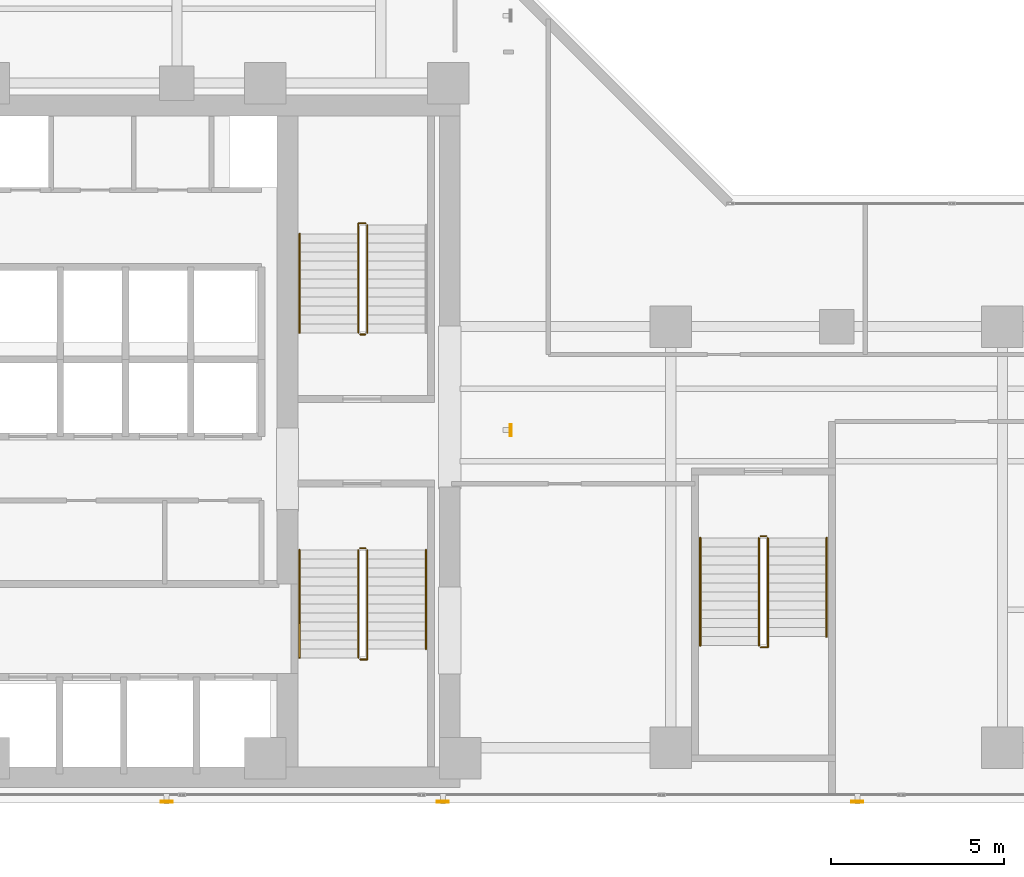
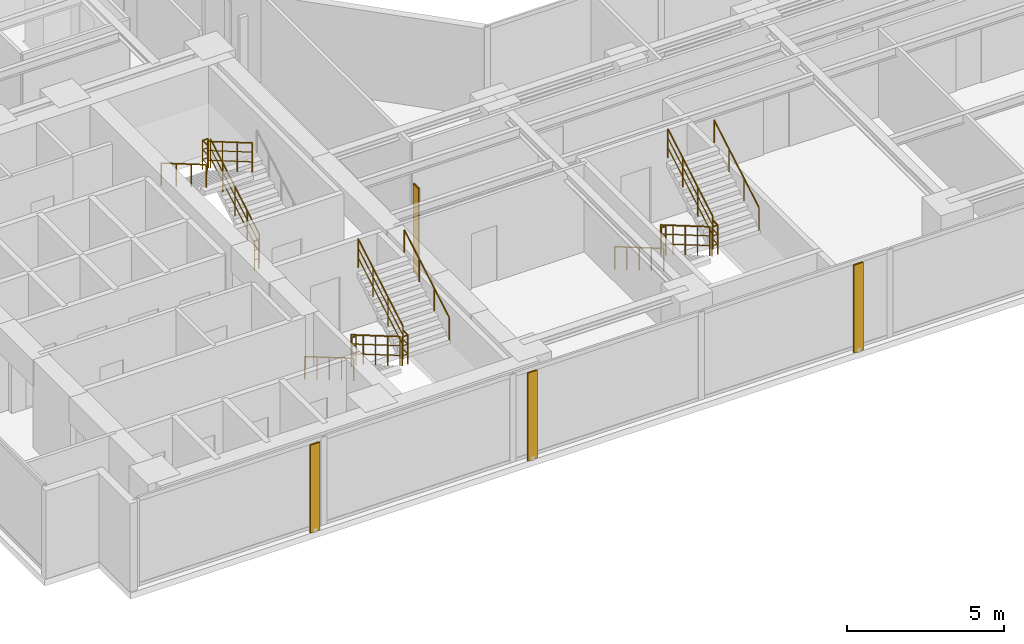
# One storey, part 23 of 26: 17 railings, 4 shading devices.
"""IFC4 building model written with IfcOpenShell, lengths in metres."""

from ifc_helpers import new_model, si_unit, direction, frame, origin, origin_2d, place, context, subcontext, project, spatial, hollow_rectangle, circle, extrude, material, material_profile, profile_set, type_object, element, save


model = new_model("IFC4")

# Units and contexts
model_context = context("Model", 3, precision=1e-05, world=origin(), true_north=direction((0.0, 1.0)))
body_context = subcontext(model_context, "Body", "Model", "MODEL_VIEW")
ifc_project = project(units=[si_unit("LENGTHUNIT", "METRE"), si_unit("AREAUNIT", "SQUARE_METRE"), si_unit("VOLUMEUNIT", "CUBIC_METRE"), si_unit("PLANEANGLEUNIT", "RADIAN"), si_unit("MASSUNIT", "GRAM", prefix="KILO")], contexts=[model_context])

# Site, building, storey
site_placement = place(None, origin())
site = spatial("IfcSite", under=ifc_project, at=site_placement, CompositionType="ELEMENT")
building_placement = place(site_placement, origin())
building = spatial("IfcBuilding", under=site, at=building_placement, Name="Kolvaren Waterfront Exchange", CompositionType="ELEMENT")
storey_placement = place(building_placement, frame((0.0, 0.0, 195.60009765625)))
storey = spatial("IfcBuildingStorey", under=building, at=storey_placement, Name="L50", CompositionType="ELEMENT", Elevation=195.60009765625)

# Shading devices
ifc_material_1 = material(Name="Anodised bronze aluminium 6063-T6", Category="aluminium")
ifc_material_profile = material_profile(ifc_material_1, hollow_rectangle(XDim=0.06005859375, YDim=0.35009765625, WallThickness=0.0048828125, at=origin_2d()), Name="BRZ-FIN-350x60x5")
ifc_profile_set = profile_set([ifc_material_profile], Name="Anodised bronze aluminium 6063-T6")
shading_device_type = type_object("IfcShadingDeviceType", Name="ARC-FIN-350", PredefinedType="USERDEFINED", material=ifc_profile_set)
for number, where, z_axis, x_axis, name in (
    (1, (12.60009765625, 3.639892578125, 0.0), (0.0, 0.0, 1.0), (0.0, -1.0, 0.0), "L50 anodised bronze solar shading fin FIN-L50-S1"),
    (2, (20.60009765625, 3.639892578125, 0.0), (0.0, 0.0, 1.0), (0.0, -1.0, 0.0), "L50 anodised bronze solar shading fin FIN-L50-S2"),
    (3, (32.60009765625, 3.639892578125, 0.0), (0.0, 0.0, 1.0), (0.0, -1.0, 0.0), "L50 anodised bronze solar shading fin FIN-L50-S3"),
    (4, (22.56005859375, 14.39990234375, 0.0), (0.0, 0.0, 1.0), (1.0, 0.0, 0.0), "L50 anodised bronze solar shading fin FIN-L50-E1"),
):
    element("IfcShadingDevice", number, at=place(storey_placement, frame(where, z_axis=z_axis, x_axis=x_axis)), inside=storey, type_object=shading_device_type, Name=name, ObjectType="SOLAR FIN", PredefinedType="USERDEFINED", context=body_context, shape_type="SweptSolid", body=[
        extrude(hollow_rectangle(XDim=0.06005859375, YDim=0.35009765625, WallThickness=0.0048828125, at=origin_2d()), origin(), (0.0, 0.0, 1.0), 3.419921875),
    ])

# Railings
ifc_material_2 = material(Name="Stainless steel 316", Category="steel")
railing_type_1 = type_object("IfcRailingType", Name="ARC-GUARD-STAIR", PredefinedType="GUARDRAIL", material=ifc_material_2)
railing_1_placement = place(storey_placement, frame((18.14990234375, 10.929931640625, 0.15185546875)))
element("IfcRailing", 5, at=railing_1_placement, inside=storey, type_object=railing_type_1, Name="L50 ST1 stair guard 1", PredefinedType="GUARDRAIL", context=body_context, shape_type="SweptSolid", body=[
    extrude(circle(Radius=0.02392578125, at=origin_2d()), frame((0.0, 0.0, 1.1259765625), z_axis=(0.0, -0.86329090724, 0.504706656858), x_axis=(1.0, 0.0, 0.0)), (0.0, 0.0, 1.0), 3.614013671875),
    extrude(circle(Radius=0.01611328125, at=origin_2d()), frame((0.0, 0.0, 0.390869140625), z_axis=(0.0, -0.86329090724, 0.504706656858), x_axis=(1.0, 0.0, 0.0)), (0.0, 0.0, 1.0), 3.614013671875),
    extrude(circle(Radius=0.01611328125, at=origin_2d()), frame((0.0, 0.0, 0.7705078125), z_axis=(0.0, -0.86329090724, 0.504706656858), x_axis=(1.0, 0.0, 0.0)), (0.0, 0.0, 1.0), 3.614013671875),
    extrude(circle(Radius=0.02099609375, at=origin_2d()), origin(), (0.0, 0.0, 1.0), 1.101806640625),
    extrude(circle(Radius=0.02099609375, at=origin_2d()), frame((0.0, -0.780029296875, 0.4560546875)), (0.0, 0.0, 1.0), 1.101806640625),
    extrude(circle(Radius=0.02099609375, at=origin_2d()), frame((0.0, -1.56005859375, 0.912109375)), (0.0, 0.0, 1.0), 1.101806640625),
    extrude(circle(Radius=0.02099609375, at=origin_2d()), frame((0.0, -2.33984375, 1.367919921875)), (0.0, 0.0, 1.0), 1.101806640625),
    extrude(circle(Radius=0.02099609375, at=origin_2d()), frame((0.0, -3.119873046875, 1.823974609375)), (0.0, 0.0, 1.0), 1.101806640625),
])
railing_2_placement = place(storey_placement, frame((18.199951171875, 7.760009765625, 1.975830078125)))
element("IfcRailing", 6, at=railing_2_placement, inside=storey, type_object=railing_type_1, Name="L50 ST1 stair guard 2", PredefinedType="GUARDRAIL", context=body_context, shape_type="SweptSolid", body=[
    extrude(circle(Radius=0.02392578125, at=origin_2d()), frame((0.0, 0.0, 1.1259765625), z_axis=(1.0, 0.0, 0.0), x_axis=(0.0, 1.0, 0.0)), (0.0, 0.0, 1.0), 0.2099609375),
    extrude(circle(Radius=0.01611328125, at=origin_2d()), frame((0.0, 0.0, 0.390869140625), z_axis=(1.0, 0.0, 0.0), x_axis=(0.0, 1.0, 0.0)), (0.0, 0.0, 1.0), 0.2099609375),
    extrude(circle(Radius=0.01611328125, at=origin_2d()), frame((0.0, 0.0, 0.7705078125), z_axis=(1.0, 0.0, 0.0), x_axis=(0.0, 1.0, 0.0)), (0.0, 0.0, 1.0), 0.2099609375),
    extrude(circle(Radius=0.02392578125, at=origin_2d()), frame((0.2099609375, 0.0, 1.1259765625), z_axis=(0.0, 1.0, 0.0), x_axis=(-1.0, 0.0, 0.0)), (0.0, 0.0, 1.0), 0.31005859375),
    extrude(circle(Radius=0.01611328125, at=origin_2d()), frame((0.2099609375, 0.0, 0.390869140625), z_axis=(0.0, 1.0, 0.0), x_axis=(-1.0, 0.0, 0.0)), (0.0, 0.0, 1.0), 0.31005859375),
    extrude(circle(Radius=0.01611328125, at=origin_2d()), frame((0.2099609375, 0.0, 0.7705078125), z_axis=(0.0, 1.0, 0.0), x_axis=(-1.0, 0.0, 0.0)), (0.0, 0.0, 1.0), 0.31005859375),
    extrude(circle(Radius=0.02099609375, at=origin_2d()), origin(), (0.0, 0.0, 1.0), 1.101806640625),
    extrude(circle(Radius=0.02099609375, at=origin_2d()), frame((0.2099609375, 0.0, 0.0)), (0.0, 0.0, 1.0), 1.101806640625),
    extrude(circle(Radius=0.02099609375, at=origin_2d()), frame((0.2099609375, 0.31005859375, 0.0)), (0.0, 0.0, 1.0), 1.101806640625),
])
railing_3_placement = place(storey_placement, frame((18.409912109375, 8.070068359375, 2.1279296875)))
element("IfcRailing", 7, at=railing_3_placement, inside=storey, type_object=railing_type_1, Name="L50 ST1 stair guard 3", PredefinedType="GUARDRAIL", context=body_context, shape_type="SweptSolid", body=[
    extrude(circle(Radius=0.02392578125, at=origin_2d()), frame((0.0, 0.0, 1.1259765625), z_axis=(0.0, 0.86330272217, 0.504686447108), x_axis=(-1.0, 0.0, 0.0)), (0.0, 0.0, 1.0), 3.312744140625),
    extrude(circle(Radius=0.01611328125, at=origin_2d()), frame((0.0, 0.0, 0.390869140625), z_axis=(0.0, 0.86330272217, 0.504686447108), x_axis=(-1.0, 0.0, 0.0)), (0.0, 0.0, 1.0), 3.312744140625),
    extrude(circle(Radius=0.01611328125, at=origin_2d()), frame((0.0, 0.0, 0.7705078125), z_axis=(0.0, 0.86330272217, 0.504686447108), x_axis=(-1.0, 0.0, 0.0)), (0.0, 0.0, 1.0), 3.312744140625),
    extrude(circle(Radius=0.02099609375, at=origin_2d()), origin(), (0.0, 0.0, 1.0), 1.101806640625),
    extrude(circle(Radius=0.02099609375, at=origin_2d()), frame((0.0, 0.953369140625, 0.557373046875)), (0.0, 0.0, 1.0), 1.101806640625),
    extrude(circle(Radius=0.02099609375, at=origin_2d()), frame((0.0, 1.906494140625, 1.114501953125)), (0.0, 0.0, 1.0), 1.101806640625),
    extrude(circle(Radius=0.02099609375, at=origin_2d()), frame((0.0, 2.85986328125, 1.671875)), (0.0, 0.0, 1.0), 1.101806640625),
])
railing_4_placement = place(storey_placement, frame((18.199951171875, 10.97998046875, 0.0)))
element("IfcRailing", 8, at=railing_4_placement, inside=storey, type_object=railing_type_1, Name="L50 ST1 stair guard 4", PredefinedType="GUARDRAIL", context=body_context, shape_type="SweptSolid", body=[
    extrude(circle(Radius=0.02392578125, at=origin_2d()), frame((0.0, 0.0, 1.1259765625), z_axis=(1.0, 0.0, 0.0), x_axis=(0.0, 1.0, 0.0)), (0.0, 0.0, 1.0), 0.16015625),
    extrude(circle(Radius=0.01611328125, at=origin_2d()), frame((0.0, 0.0, 0.390869140625), z_axis=(1.0, 0.0, 0.0), x_axis=(0.0, 1.0, 0.0)), (0.0, 0.0, 1.0), 0.16015625),
    extrude(circle(Radius=0.01611328125, at=origin_2d()), frame((0.0, 0.0, 0.7705078125), z_axis=(1.0, 0.0, 0.0), x_axis=(0.0, 1.0, 0.0)), (0.0, 0.0, 1.0), 0.16015625),
    extrude(circle(Radius=0.02099609375, at=origin_2d()), origin(), (0.0, 0.0, 1.0), 1.101806640625),
    extrude(circle(Radius=0.02099609375, at=origin_2d()), frame((0.16015625, 0.0, 0.0)), (0.0, 0.0, 1.0), 1.101806640625),
])
railing_5_placement = place(storey_placement, frame((18.409912109375, 17.219970703125, 0.15185546875)))
element("IfcRailing", 9, at=railing_5_placement, inside=storey, type_object=railing_type_1, Name="L50 ST2 stair guard 1", PredefinedType="GUARDRAIL", context=body_context, shape_type="SweptSolid", body=[
    extrude(circle(Radius=0.02392578125, at=origin_2d()), frame((0.0, 0.0, 1.1259765625), z_axis=(0.0, 0.86330811405, 0.504677223793), x_axis=(-1.0, 0.0, 0.0)), (0.0, 0.0, 1.0), 3.6142578125),
    extrude(circle(Radius=0.01611328125, at=origin_2d()), frame((0.0, 0.0, 0.390869140625), z_axis=(0.0, 0.86330811405, 0.504677223793), x_axis=(-1.0, 0.0, 0.0)), (0.0, 0.0, 1.0), 3.6142578125),
    extrude(circle(Radius=0.01611328125, at=origin_2d()), frame((0.0, 0.0, 0.7705078125), z_axis=(0.0, 0.86330811405, 0.504677223793), x_axis=(-1.0, 0.0, 0.0)), (0.0, 0.0, 1.0), 3.6142578125),
    extrude(circle(Radius=0.02099609375, at=origin_2d()), origin(), (0.0, 0.0, 1.0), 1.101806640625),
    extrude(circle(Radius=0.02099609375, at=origin_2d()), frame((0.0, 0.780029296875, 0.4560546875)), (0.0, 0.0, 1.0), 1.101806640625),
    extrude(circle(Radius=0.02099609375, at=origin_2d()), frame((0.0, 1.56005859375, 0.912109375)), (0.0, 0.0, 1.0), 1.101806640625),
    extrude(circle(Radius=0.02099609375, at=origin_2d()), frame((0.0, 2.340087890625, 1.367919921875)), (0.0, 0.0, 1.0), 1.101806640625),
    extrude(circle(Radius=0.02099609375, at=origin_2d()), frame((0.0, 3.1201171875, 1.823974609375)), (0.0, 0.0, 1.0), 1.101806640625),
])
railing_6_placement = place(storey_placement, frame((18.360107421875, 20.389892578125, 1.975830078125)))
element("IfcRailing", 10, at=railing_6_placement, inside=storey, type_object=railing_type_1, Name="L50 ST2 stair guard 2", PredefinedType="GUARDRAIL", context=body_context, shape_type="SweptSolid", body=[
    extrude(circle(Radius=0.02392578125, at=origin_2d()), frame((0.0, 0.0, 1.1259765625), z_axis=(-1.0, 0.0, 0.0), x_axis=(0.0, -1.0, 0.0)), (0.0, 0.0, 1.0), 0.210205078125),
    extrude(circle(Radius=0.01611328125, at=origin_2d()), frame((0.0, 0.0, 0.390869140625), z_axis=(-1.0, 0.0, 0.0), x_axis=(0.0, -1.0, 0.0)), (0.0, 0.0, 1.0), 0.210205078125),
    extrude(circle(Radius=0.01611328125, at=origin_2d()), frame((0.0, 0.0, 0.7705078125), z_axis=(-1.0, 0.0, 0.0), x_axis=(0.0, -1.0, 0.0)), (0.0, 0.0, 1.0), 0.210205078125),
    extrude(circle(Radius=0.02392578125, at=origin_2d()), frame((-0.210205078125, 0.0, 1.1259765625), z_axis=(0.0, -1.0, 0.0), x_axis=(1.0, 0.0, 0.0)), (0.0, 0.0, 1.0), 0.309814453125),
    extrude(circle(Radius=0.01611328125, at=origin_2d()), frame((-0.210205078125, 0.0, 0.390869140625), z_axis=(0.0, -1.0, 0.0), x_axis=(1.0, 0.0, 0.0)), (0.0, 0.0, 1.0), 0.309814453125),
    extrude(circle(Radius=0.01611328125, at=origin_2d()), frame((-0.210205078125, 0.0, 0.7705078125), z_axis=(0.0, -1.0, 0.0), x_axis=(1.0, 0.0, 0.0)), (0.0, 0.0, 1.0), 0.309814453125),
    extrude(circle(Radius=0.02099609375, at=origin_2d()), origin(), (0.0, 0.0, 1.0), 1.101806640625),
    extrude(circle(Radius=0.02099609375, at=origin_2d()), frame((-0.210205078125, 0.0, 0.0)), (0.0, 0.0, 1.0), 1.101806640625),
    extrude(circle(Radius=0.02099609375, at=origin_2d()), frame((-0.210205078125, -0.309814453125, 0.0)), (0.0, 0.0, 1.0), 1.101806640625),
])
railing_7_placement = place(storey_placement, frame((18.14990234375, 20.080078125, 2.1279296875)))
element("IfcRailing", 11, at=railing_7_placement, inside=storey, type_object=railing_type_1, Name="L50 ST2 stair guard 3", PredefinedType="GUARDRAIL", context=body_context, shape_type="SweptSolid", body=[
    extrude(circle(Radius=0.02392578125, at=origin_2d()), frame((0.0, 0.0, 1.1259765625), z_axis=(0.0, -0.863321491973, 0.504654338629), x_axis=(1.0, 0.0, 0.0)), (0.0, 0.0, 1.0), 3.31298828125),
    extrude(circle(Radius=0.01611328125, at=origin_2d()), frame((0.0, 0.0, 0.390869140625), z_axis=(0.0, -0.863321491973, 0.504654338629), x_axis=(1.0, 0.0, 0.0)), (0.0, 0.0, 1.0), 3.31298828125),
    extrude(circle(Radius=0.01611328125, at=origin_2d()), frame((0.0, 0.0, 0.7705078125), z_axis=(0.0, -0.863321491973, 0.504654338629), x_axis=(1.0, 0.0, 0.0)), (0.0, 0.0, 1.0), 3.31298828125),
    extrude(circle(Radius=0.02099609375, at=origin_2d()), origin(), (0.0, 0.0, 1.0), 1.101806640625),
    extrude(circle(Radius=0.02099609375, at=origin_2d()), frame((0.0, -0.953369140625, 0.557373046875)), (0.0, 0.0, 1.0), 1.101806640625),
    extrude(circle(Radius=0.02099609375, at=origin_2d()), frame((0.0, -1.90673828125, 1.114501953125)), (0.0, 0.0, 1.0), 1.101806640625),
    extrude(circle(Radius=0.02099609375, at=origin_2d()), frame((0.0, -2.860107421875, 1.671875)), (0.0, 0.0, 1.0), 1.101806640625),
])
railing_8_placement = place(storey_placement, frame((18.360107421875, 17.169921875, 0.0)))
element("IfcRailing", 12, at=railing_8_placement, inside=storey, type_object=railing_type_1, Name="L50 ST2 stair guard 4", PredefinedType="GUARDRAIL", context=body_context, shape_type="SweptSolid", body=[
    extrude(circle(Radius=0.02392578125, at=origin_2d()), frame((0.0, 0.0, 1.1259765625), z_axis=(-1.0, 0.0, 0.0), x_axis=(0.0, -1.0, 0.0)), (0.0, 0.0, 1.0), 0.16015625),
    extrude(circle(Radius=0.01611328125, at=origin_2d()), frame((0.0, 0.0, 0.390869140625), z_axis=(-1.0, 0.0, 0.0), x_axis=(0.0, -1.0, 0.0)), (0.0, 0.0, 1.0), 0.16015625),
    extrude(circle(Radius=0.01611328125, at=origin_2d()), frame((0.0, 0.0, 0.7705078125), z_axis=(-1.0, 0.0, 0.0), x_axis=(0.0, -1.0, 0.0)), (0.0, 0.0, 1.0), 0.16015625),
    extrude(circle(Radius=0.02099609375, at=origin_2d()), origin(), (0.0, 0.0, 1.0), 1.101806640625),
    extrude(circle(Radius=0.02099609375, at=origin_2d()), frame((-0.16015625, 0.0, 0.0)), (0.0, 0.0, 1.0), 1.101806640625),
])
railing_9_placement = place(storey_placement, frame((29.75, 11.280029296875, 0.15185546875)))
element("IfcRailing", 13, at=railing_9_placement, inside=storey, type_object=railing_type_1, Name="L50 ST3 stair guard 1", PredefinedType="GUARDRAIL", context=body_context, shape_type="SweptSolid", body=[
    extrude(circle(Radius=0.02392578125, at=origin_2d()), frame((0.0, 0.0, 1.1259765625), z_axis=(0.0, -0.86330811405, 0.504677223793), x_axis=(1.0, 0.0, 0.0)), (0.0, 0.0, 1.0), 3.6142578125),
    extrude(circle(Radius=0.01611328125, at=origin_2d()), frame((0.0, 0.0, 0.390869140625), z_axis=(0.0, -0.86330811405, 0.504677223793), x_axis=(1.0, 0.0, 0.0)), (0.0, 0.0, 1.0), 3.6142578125),
    extrude(circle(Radius=0.01611328125, at=origin_2d()), frame((0.0, 0.0, 0.7705078125), z_axis=(0.0, -0.86330811405, 0.504677223793), x_axis=(1.0, 0.0, 0.0)), (0.0, 0.0, 1.0), 3.6142578125),
    extrude(circle(Radius=0.02099609375, at=origin_2d()), origin(), (0.0, 0.0, 1.0), 1.101806640625),
    extrude(circle(Radius=0.02099609375, at=origin_2d()), frame((0.0, -0.780029296875, 0.4560546875)), (0.0, 0.0, 1.0), 1.101806640625),
    extrude(circle(Radius=0.02099609375, at=origin_2d()), frame((0.0, -1.56005859375, 0.912109375)), (0.0, 0.0, 1.0), 1.101806640625),
    extrude(circle(Radius=0.02099609375, at=origin_2d()), frame((0.0, -2.340087890625, 1.367919921875)), (0.0, 0.0, 1.0), 1.101806640625),
    extrude(circle(Radius=0.02099609375, at=origin_2d()), frame((0.0, -3.1201171875, 1.823974609375)), (0.0, 0.0, 1.0), 1.101806640625),
])
railing_10_placement = place(storey_placement, frame((29.800048828125, 8.110107421875, 1.975830078125)))
element("IfcRailing", 14, at=railing_10_placement, inside=storey, type_object=railing_type_1, Name="L50 ST3 stair guard 2", PredefinedType="GUARDRAIL", context=body_context, shape_type="SweptSolid", body=[
    extrude(circle(Radius=0.02392578125, at=origin_2d()), frame((0.0, 0.0, 1.1259765625), z_axis=(1.0, 0.0, 0.0), x_axis=(0.0, 1.0, 0.0)), (0.0, 0.0, 1.0), 0.2099609375),
    extrude(circle(Radius=0.01611328125, at=origin_2d()), frame((0.0, 0.0, 0.390869140625), z_axis=(1.0, 0.0, 0.0), x_axis=(0.0, 1.0, 0.0)), (0.0, 0.0, 1.0), 0.2099609375),
    extrude(circle(Radius=0.01611328125, at=origin_2d()), frame((0.0, 0.0, 0.7705078125), z_axis=(1.0, 0.0, 0.0), x_axis=(0.0, 1.0, 0.0)), (0.0, 0.0, 1.0), 0.2099609375),
    extrude(circle(Radius=0.02392578125, at=origin_2d()), frame((0.2099609375, 0.0, 1.1259765625), z_axis=(0.0, 1.0, 0.0), x_axis=(-1.0, 0.0, 0.0)), (0.0, 0.0, 1.0), 0.309814453125),
    extrude(circle(Radius=0.01611328125, at=origin_2d()), frame((0.2099609375, 0.0, 0.390869140625), z_axis=(0.0, 1.0, 0.0), x_axis=(-1.0, 0.0, 0.0)), (0.0, 0.0, 1.0), 0.309814453125),
    extrude(circle(Radius=0.01611328125, at=origin_2d()), frame((0.2099609375, 0.0, 0.7705078125), z_axis=(0.0, 1.0, 0.0), x_axis=(-1.0, 0.0, 0.0)), (0.0, 0.0, 1.0), 0.309814453125),
    extrude(circle(Radius=0.02099609375, at=origin_2d()), origin(), (0.0, 0.0, 1.0), 1.101806640625),
    extrude(circle(Radius=0.02099609375, at=origin_2d()), frame((0.2099609375, 0.0, 0.0)), (0.0, 0.0, 1.0), 1.101806640625),
    extrude(circle(Radius=0.02099609375, at=origin_2d()), frame((0.2099609375, 0.309814453125, 0.0)), (0.0, 0.0, 1.0), 1.101806640625),
])
railing_11_placement = place(storey_placement, frame((30.010009765625, 8.419921875, 2.1279296875)))
element("IfcRailing", 15, at=railing_11_placement, inside=storey, type_object=railing_type_1, Name="L50 ST3 stair guard 3", PredefinedType="GUARDRAIL", context=body_context, shape_type="SweptSolid", body=[
    extrude(circle(Radius=0.02392578125, at=origin_2d()), frame((0.0, 0.0, 1.1259765625), z_axis=(0.0, 0.863321491973, 0.504654338629), x_axis=(-1.0, 0.0, 0.0)), (0.0, 0.0, 1.0), 3.31298828125),
    extrude(circle(Radius=0.01611328125, at=origin_2d()), frame((0.0, 0.0, 0.390869140625), z_axis=(0.0, 0.863321491973, 0.504654338629), x_axis=(-1.0, 0.0, 0.0)), (0.0, 0.0, 1.0), 3.31298828125),
    extrude(circle(Radius=0.01611328125, at=origin_2d()), frame((0.0, 0.0, 0.7705078125), z_axis=(0.0, 0.863321491973, 0.504654338629), x_axis=(-1.0, 0.0, 0.0)), (0.0, 0.0, 1.0), 3.31298828125),
    extrude(circle(Radius=0.02099609375, at=origin_2d()), origin(), (0.0, 0.0, 1.0), 1.101806640625),
    extrude(circle(Radius=0.02099609375, at=origin_2d()), frame((0.0, 0.953369140625, 0.557373046875)), (0.0, 0.0, 1.0), 1.101806640625),
    extrude(circle(Radius=0.02099609375, at=origin_2d()), frame((0.0, 1.90673828125, 1.114501953125)), (0.0, 0.0, 1.0), 1.101806640625),
    extrude(circle(Radius=0.02099609375, at=origin_2d()), frame((0.0, 2.860107421875, 1.671875)), (0.0, 0.0, 1.0), 1.101806640625),
])
railing_12_placement = place(storey_placement, frame((29.800048828125, 11.330078125, 0.0)))
element("IfcRailing", 16, at=railing_12_placement, inside=storey, type_object=railing_type_1, Name="L50 ST3 stair guard 4", PredefinedType="GUARDRAIL", context=body_context, shape_type="SweptSolid", body=[
    extrude(circle(Radius=0.02392578125, at=origin_2d()), frame((0.0, 0.0, 1.1259765625), z_axis=(1.0, 0.0, 0.0), x_axis=(0.0, 1.0, 0.0)), (0.0, 0.0, 1.0), 0.159912109375),
    extrude(circle(Radius=0.01611328125, at=origin_2d()), frame((0.0, 0.0, 0.390869140625), z_axis=(1.0, 0.0, 0.0), x_axis=(0.0, 1.0, 0.0)), (0.0, 0.0, 1.0), 0.159912109375),
    extrude(circle(Radius=0.01611328125, at=origin_2d()), frame((0.0, 0.0, 0.7705078125), z_axis=(1.0, 0.0, 0.0), x_axis=(0.0, 1.0, 0.0)), (0.0, 0.0, 1.0), 0.159912109375),
    extrude(circle(Radius=0.02099609375, at=origin_2d()), origin(), (0.0, 0.0, 1.0), 1.101806640625),
    extrude(circle(Radius=0.02099609375, at=origin_2d()), frame((0.159912109375, 0.0, 0.0)), (0.0, 0.0, 1.0), 1.101806640625),
])
railing_type_2 = type_object("IfcRailingType", Name="ARC-HANDRAIL-900", PredefinedType="HANDRAIL", material=ifc_material_2)
railing_13_placement = place(storey_placement, frame((16.449951171875, 10.929931640625, 0.15185546875)))
element("IfcRailing", 17, at=railing_13_placement, inside=storey, type_object=railing_type_2, Name="L50 ST1 stair handrail 1", PredefinedType="HANDRAIL", context=body_context, shape_type="SweptSolid", body=[
    extrude(circle(Radius=0.02392578125, at=origin_2d()), frame((0.0, 0.0, 0.8759765625), z_axis=(0.0, -0.86329090724, 0.504706656858), x_axis=(1.0, 0.0, 0.0)), (0.0, 0.0, 1.0), 3.614013671875),
    extrude(circle(Radius=0.02099609375, at=origin_2d()), origin(), (0.0, 0.0, 1.0), 0.851806640625),
    extrude(circle(Radius=0.02099609375, at=origin_2d()), frame((0.0, -0.780029296875, 0.4560546875)), (0.0, 0.0, 1.0), 0.851806640625),
    extrude(circle(Radius=0.02099609375, at=origin_2d()), frame((0.0, -1.56005859375, 0.912109375)), (0.0, 0.0, 1.0), 0.851806640625),
    extrude(circle(Radius=0.02099609375, at=origin_2d()), frame((0.0, -2.33984375, 1.367919921875)), (0.0, 0.0, 1.0), 0.851806640625),
    extrude(circle(Radius=0.02099609375, at=origin_2d()), frame((0.0, -3.119873046875, 1.823974609375)), (0.0, 0.0, 1.0), 0.851806640625),
])
railing_14_placement = place(storey_placement, frame((20.110107421875, 8.070068359375, 2.1279296875)))
element("IfcRailing", 18, at=railing_14_placement, inside=storey, type_object=railing_type_2, Name="L50 ST1 stair handrail 2", PredefinedType="HANDRAIL", context=body_context, shape_type="SweptSolid", body=[
    extrude(circle(Radius=0.02392578125, at=origin_2d()), frame((0.0, 0.0, 0.8759765625), z_axis=(0.0, 0.86330272217, 0.504686447108), x_axis=(-1.0, 0.0, 0.0)), (0.0, 0.0, 1.0), 3.312744140625),
    extrude(circle(Radius=0.02099609375, at=origin_2d()), origin(), (0.0, 0.0, 1.0), 0.851806640625),
    extrude(circle(Radius=0.02099609375, at=origin_2d()), frame((0.0, 0.953369140625, 0.557373046875)), (0.0, 0.0, 1.0), 0.851806640625),
    extrude(circle(Radius=0.02099609375, at=origin_2d()), frame((0.0, 1.906494140625, 1.114501953125)), (0.0, 0.0, 1.0), 0.851806640625),
    extrude(circle(Radius=0.02099609375, at=origin_2d()), frame((0.0, 2.85986328125, 1.671875)), (0.0, 0.0, 1.0), 0.851806640625),
])
railing_15_placement = place(storey_placement, frame((16.449951171875, 20.080078125, 2.1279296875)))
element("IfcRailing", 19, at=railing_15_placement, inside=storey, type_object=railing_type_2, Name="L50 ST2 stair handrail 2", PredefinedType="HANDRAIL", context=body_context, shape_type="SweptSolid", body=[
    extrude(circle(Radius=0.02392578125, at=origin_2d()), frame((0.0, 0.0, 0.8759765625), z_axis=(0.0, -0.863321491973, 0.504654338629), x_axis=(1.0, 0.0, 0.0)), (0.0, 0.0, 1.0), 3.31298828125),
    extrude(circle(Radius=0.02099609375, at=origin_2d()), origin(), (0.0, 0.0, 1.0), 0.851806640625),
    extrude(circle(Radius=0.02099609375, at=origin_2d()), frame((0.0, -0.953369140625, 0.557373046875)), (0.0, 0.0, 1.0), 0.851806640625),
    extrude(circle(Radius=0.02099609375, at=origin_2d()), frame((0.0, -1.90673828125, 1.114501953125)), (0.0, 0.0, 1.0), 0.851806640625),
    extrude(circle(Radius=0.02099609375, at=origin_2d()), frame((0.0, -2.860107421875, 1.671875)), (0.0, 0.0, 1.0), 0.851806640625),
])
railing_16_placement = place(storey_placement, frame((28.050048828125, 11.280029296875, 0.15185546875)))
element("IfcRailing", 20, at=railing_16_placement, inside=storey, type_object=railing_type_2, Name="L50 ST3 stair handrail 1", PredefinedType="HANDRAIL", context=body_context, shape_type="SweptSolid", body=[
    extrude(circle(Radius=0.02392578125, at=origin_2d()), frame((0.0, 0.0, 0.8759765625), z_axis=(0.0, -0.86330811405, 0.504677223793), x_axis=(1.0, 0.0, 0.0)), (0.0, 0.0, 1.0), 3.6142578125),
    extrude(circle(Radius=0.02099609375, at=origin_2d()), origin(), (0.0, 0.0, 1.0), 0.851806640625),
    extrude(circle(Radius=0.02099609375, at=origin_2d()), frame((0.0, -0.780029296875, 0.4560546875)), (0.0, 0.0, 1.0), 0.851806640625),
    extrude(circle(Radius=0.02099609375, at=origin_2d()), frame((0.0, -1.56005859375, 0.912109375)), (0.0, 0.0, 1.0), 0.851806640625),
    extrude(circle(Radius=0.02099609375, at=origin_2d()), frame((0.0, -2.340087890625, 1.367919921875)), (0.0, 0.0, 1.0), 0.851806640625),
    extrude(circle(Radius=0.02099609375, at=origin_2d()), frame((0.0, -3.1201171875, 1.823974609375)), (0.0, 0.0, 1.0), 0.851806640625),
])
railing_17_placement = place(storey_placement, frame((31.7099609375, 8.419921875, 2.1279296875)))
element("IfcRailing", 21, at=railing_17_placement, inside=storey, type_object=railing_type_2, Name="L50 ST3 stair handrail 2", PredefinedType="HANDRAIL", context=body_context, shape_type="SweptSolid", body=[
    extrude(circle(Radius=0.02392578125, at=origin_2d()), frame((0.0, 0.0, 0.8759765625), z_axis=(0.0, 0.863321491973, 0.504654338629), x_axis=(-1.0, 0.0, 0.0)), (0.0, 0.0, 1.0), 3.31298828125),
    extrude(circle(Radius=0.02099609375, at=origin_2d()), origin(), (0.0, 0.0, 1.0), 0.851806640625),
    extrude(circle(Radius=0.02099609375, at=origin_2d()), frame((0.0, 0.953369140625, 0.557373046875)), (0.0, 0.0, 1.0), 0.851806640625),
    extrude(circle(Radius=0.02099609375, at=origin_2d()), frame((0.0, 1.90673828125, 1.114501953125)), (0.0, 0.0, 1.0), 0.851806640625),
    extrude(circle(Radius=0.02099609375, at=origin_2d()), frame((0.0, 2.860107421875, 1.671875)), (0.0, 0.0, 1.0), 0.851806640625),
])

save(model, "model.ifc")
